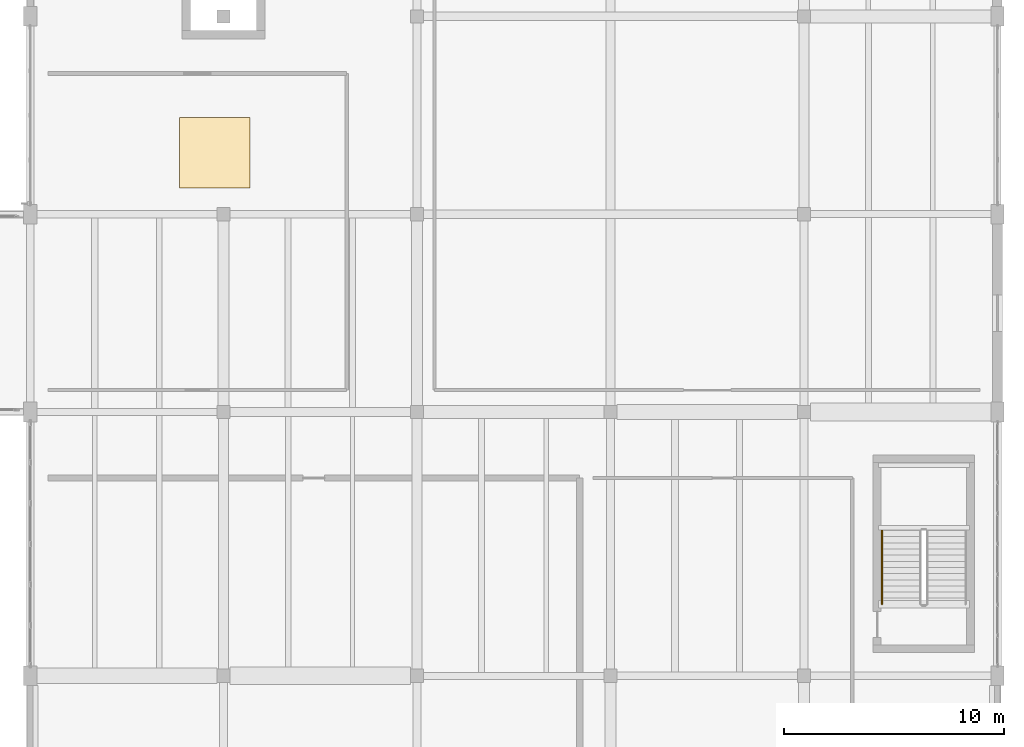
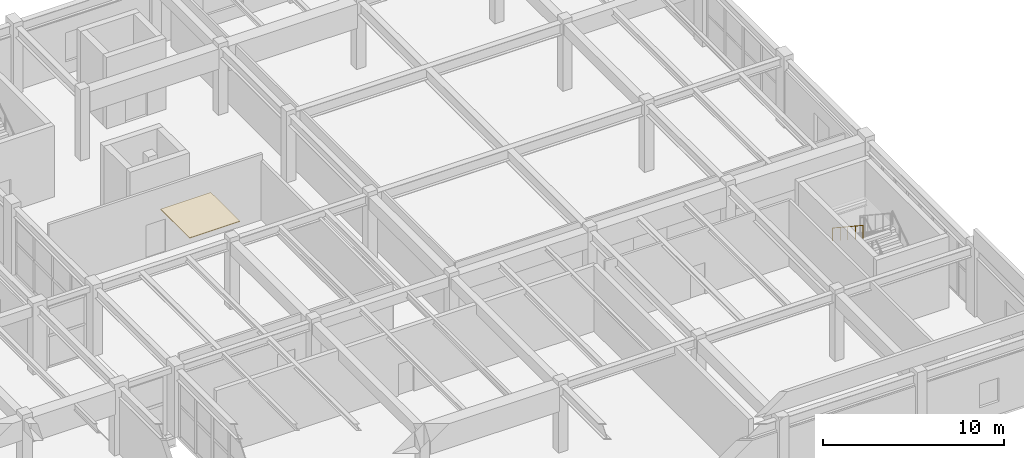
# One storey, part 84 of 85: 1 covering, 1 railing.
"""IFC4 building model written with IfcOpenShell, lengths in metres."""

from ifc_helpers import new_model, si_unit, direction, frame, origin, origin_2d, place, context, subcontext, project, spatial, polyline, circle, outline, extrude, material, layer, layer_set, type_object, element, save


model = new_model("IFC4")

# Units and contexts
model_context = context("Model", 3, precision=1e-05, world=origin(), true_north=direction((0.0, 1.0)))
body_context = subcontext(model_context, "Body", "Model", "MODEL_VIEW")
ifc_project = project(units=[si_unit("LENGTHUNIT", "METRE"), si_unit("AREAUNIT", "SQUARE_METRE"), si_unit("VOLUMEUNIT", "CUBIC_METRE"), si_unit("PLANEANGLEUNIT", "RADIAN"), si_unit("MASSUNIT", "GRAM", prefix="KILO")], contexts=[model_context])

# Site, building, storey
site_placement = place(None, origin())
site = spatial("IfcSite", under=ifc_project, at=site_placement, CompositionType="ELEMENT")
building_placement = place(site_placement, origin())
building = spatial("IfcBuilding", under=site, at=building_placement, Name="Vaelkrest Opera House", CompositionType="ELEMENT")
storey_placement = place(building_placement, frame((0.0, 0.0, 10.199951171875)))
storey = spatial("IfcBuildingStorey", under=building, at=storey_placement, Name="L02", CompositionType="ELEMENT", Elevation=10.199951171875)

# Covering
ifc_material_1 = material(Name="American black walnut acoustic timber", Category="wood")
ifc_layer = layer(ifc_material_1, 0.044921875)
ifc_layer_set = layer_set([ifc_layer], Name="American black walnut acoustic timber")
covering_type = type_object("IfcCoveringType", Name="COV-CLG01", PredefinedType="CEILING", material=ifc_layer_set)
covering_placement = place(storey_placement, frame((0.0, 0.0, 4.489990234375)))
element("IfcCovering", 1, at=covering_placement, inside=storey, type_object=covering_type, Name="Acoustic walnut ceiling reflector 08", PredefinedType="CEILING", context=body_context, shape_type="SweptSolid", body=[
    extrude(outline(polyline([(40.39990234375, 2.39990234375), (43.60009765625, 2.39990234375), (43.60009765625, 5.60009765625), (40.39990234375, 5.60009765625), (40.39990234375, 2.39990234375)])), origin(), (0.0, 0.0, 1.0), 0.045166015625),
])

# Railing
ifc_material_2 = material(Name="Dark bronze anodized aluminium", Category="aluminium")
railing_type = type_object("IfcRailingType", Name="HR02", PredefinedType="HANDRAIL", material=ifc_material_2)
railing_placement = place(storey_placement, frame((72.35009765625, -13.18994140625, 2.584716796875)))
element("IfcRailing", 2, at=railing_placement, inside=storey, type_object=railing_type, Name="L02 ST10 stair handrail 2", PredefinedType="HANDRAIL", context=body_context, shape_type="SweptSolid", body=[
    extrude(circle(Radius=0.02392578125, at=origin_2d()), frame((0.0, 0.0, 0.8759765625), z_axis=(0.0, -0.834876476806, 0.550437342915), x_axis=(1.0, 0.0, 0.0)), (0.0, 0.0, 1.0), 4.024658203125),
    extrude(circle(Radius=0.02099609375, at=origin_2d()), origin(), (0.0, 0.0, 1.0), 0.851806640625),
    extrude(circle(Radius=0.02099609375, at=origin_2d()), frame((0.0, -0.840087890625, 0.5537109375)), (0.0, 0.0, 1.0), 0.851806640625),
    extrude(circle(Radius=0.02099609375, at=origin_2d()), frame((0.0, -1.68017578125, 1.107666015625)), (0.0, 0.0, 1.0), 0.851806640625),
    extrude(circle(Radius=0.02099609375, at=origin_2d()), frame((0.0, -2.52001953125, 1.66162109375)), (0.0, 0.0, 1.0), 0.851806640625),
    extrude(circle(Radius=0.02099609375, at=origin_2d()), frame((0.0, -3.360107421875, 2.21533203125)), (0.0, 0.0, 1.0), 0.851806640625),
])

save(model, "model.ifc")
